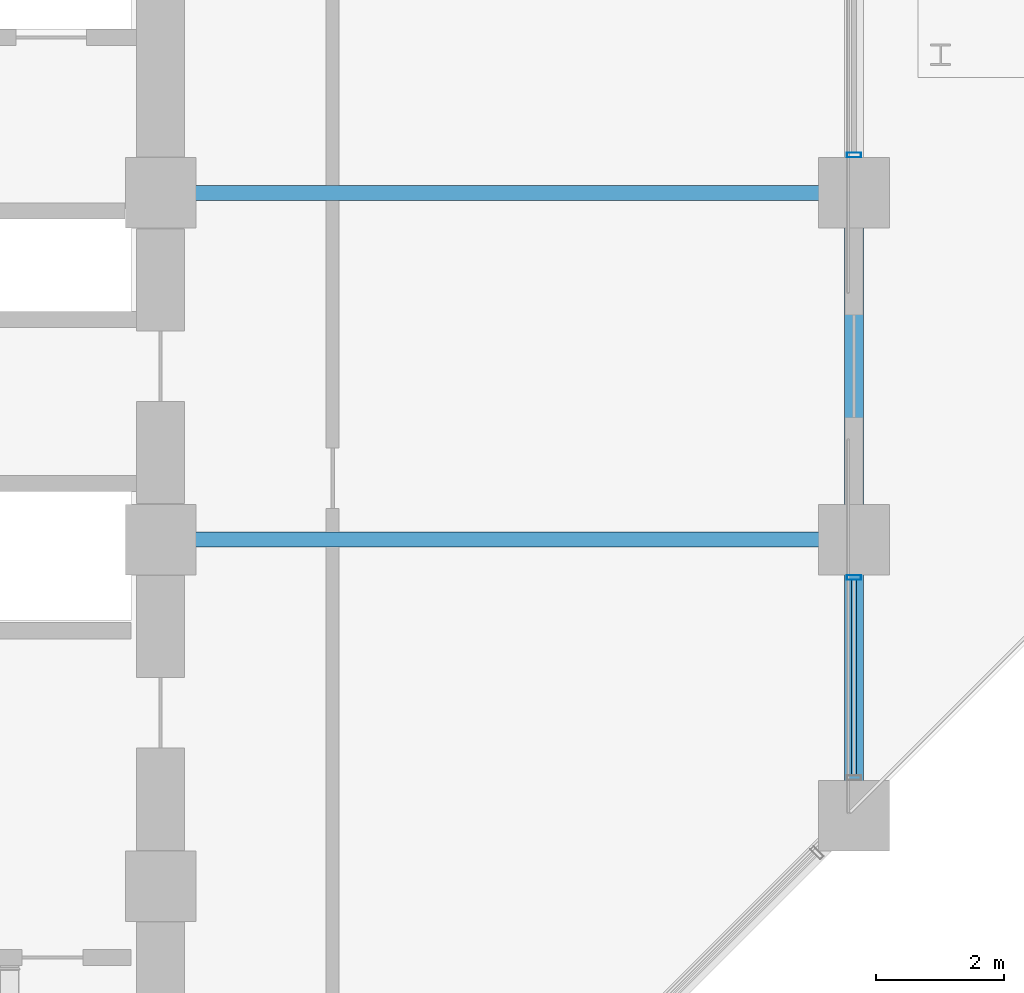
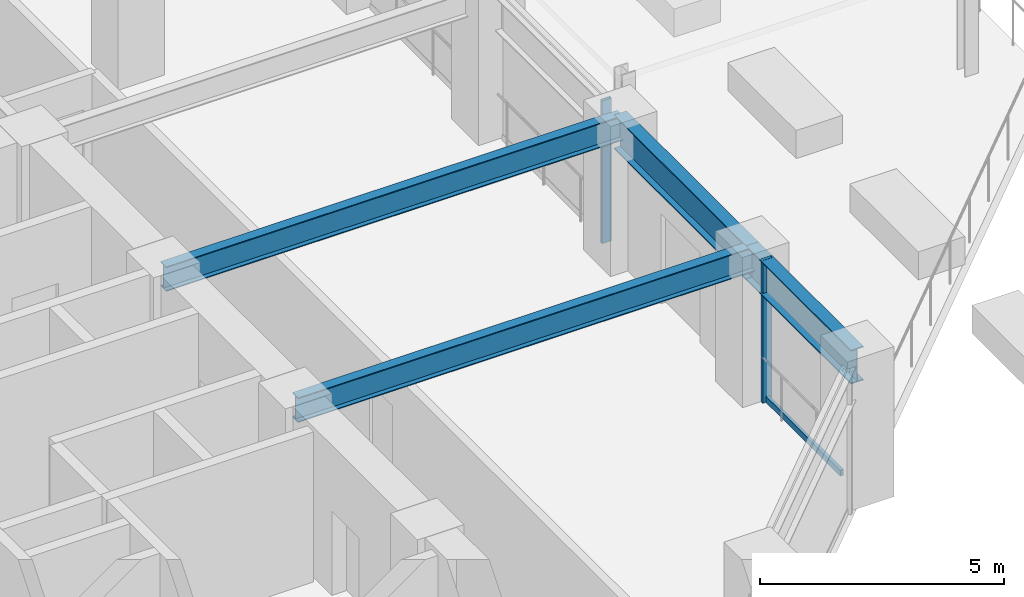
# One storey, part 10 of 30: 4 beams, 3 members, 2 elements without a shape of their own.
"""IFC4 building model written with IfcOpenShell, lengths in metres."""

from ifc_helpers import new_model, si_unit, direction, frame, origin, origin_2d, place, context, subcontext, project, spatial, hollow_rectangle, i_section, extrude, material, layer, layer_set, material_profile, profile_set, type_object, element, aggregate, save


model = new_model("IFC4")

# Units and contexts
model_context = context("Model", 3, precision=1e-05, world=origin(), true_north=direction((0.0, 1.0)))
body_context = subcontext(model_context, "Body", "Model", "MODEL_VIEW")
ifc_project = project(units=[si_unit("LENGTHUNIT", "METRE"), si_unit("AREAUNIT", "SQUARE_METRE"), si_unit("VOLUMEUNIT", "CUBIC_METRE"), si_unit("PLANEANGLEUNIT", "RADIAN"), si_unit("MASSUNIT", "GRAM", prefix="KILO")], contexts=[model_context])

# Site, building, storey
site_placement = place(None, origin())
site = spatial("IfcSite", under=ifc_project, at=site_placement, CompositionType="ELEMENT")
building_placement = place(site_placement, origin())
building = spatial("IfcBuilding", under=site, at=building_placement, Name="Surkhivell Harbour Commons", CompositionType="ELEMENT")
storey_placement = place(building_placement, frame((0.0, 0.0, 83.25)))
storey = spatial("IfcBuildingStorey", under=building, at=storey_placement, Name="L21", CompositionType="ELEMENT", Elevation=83.25)

# Beams
ifc_material_1 = material(Name="Steel S355", Category="steel")
ifc_material_profile_1 = material_profile(ifc_material_1, i_section(OverallWidth=0.22998046875, OverallDepth=0.616943359375, WebThickness=0.01318359375, FlangeThickness=0.022216796875, at=origin_2d()), Name="UB610x229x140")
ifc_profile_set_1 = profile_set([ifc_material_profile_1], Name="Steel S355")
beam_type_1 = type_object("IfcBeamType", Name="BM-GRD-610B", PredefinedType="BEAM", material=ifc_profile_set_1)
for number, where, z_axis, x_axis, name in (
    (1, (10.800048828125, 0.0, 3.261474609375), (1.0, 0.0, 0.0), (0.0, 1.0, 0.0), "L21 Floor Girder (10.8,0.0)"),
    (2, (10.800048828125, 5.39990234375, 3.261474609375), (1.0, 0.0, 0.0), (0.0, 1.0, 0.0), "L21 Floor Girder (10.8,5.4)"),
):
    element("IfcBeam", number, at=place(storey_placement, frame(where, z_axis=z_axis, x_axis=x_axis)), inside=storey, type_object=beam_type_1, Name=name, PredefinedType="BEAM", context=body_context, shape_type="SweptSolid", body=[
        extrude(i_section(OverallWidth=0.22998046875, OverallDepth=0.616943359375, WebThickness=0.01318359375, FlangeThickness=0.022216796875, at=origin_2d()), origin(), (0.0, 0.0, 1.0), 10.800048828125),
    ])
ifc_material_2 = material(Name="Steel S460", Category="steel")
ifc_material_profile_2 = material_profile(ifc_material_2, i_section(OverallWidth=0.2939453125, OverallDepth=0.85107421875, WebThickness=0.01611328125, FlangeThickness=0.02685546875, at=origin_2d()), Name="UB838x292x226")
ifc_profile_set_2 = profile_set([ifc_material_profile_2], Name="Steel S460")
beam_type_2 = type_object("IfcBeamType", Name="BM-SPN-838", PredefinedType="SPANDREL", material=ifc_profile_set_2)
beam_1_placement = place(storey_placement, frame((21.60009765625, -4.300048828125, 3.14453125), z_axis=(0.0, 1.0, 0.0), x_axis=(-1.0, 0.0, 0.0)))
element("IfcBeam", 3, at=beam_1_placement, inside=storey, type_object=beam_type_2, Name="L21 Tube Spandrel (21.6,-4.3)", PredefinedType="SPANDREL", context=body_context, shape_type="SweptSolid", body=[
    extrude(i_section(OverallWidth=0.2939453125, OverallDepth=0.85107421875, WebThickness=0.01611328125, FlangeThickness=0.02685546875, at=origin_2d()), origin(), (0.0, 0.0, 1.0), 4.300048828125),
])
beam_2_placement = place(storey_placement, frame((21.60009765625, 0.0, 3.14453125), z_axis=(0.0, 1.0, 0.0), x_axis=(-1.0, 0.0, 0.0)))
element("IfcBeam", 4, at=beam_2_placement, inside=storey, type_object=beam_type_2, Name="L21 Tube Spandrel (21.6,0.0)", PredefinedType="SPANDREL", context=body_context, shape_type="SweptSolid", body=[
    extrude(i_section(OverallWidth=0.2939453125, OverallDepth=0.85107421875, WebThickness=0.01611328125, FlangeThickness=0.02685546875, at=origin_2d()), origin(), (0.0, 0.0, 1.0), 5.39990234375),
])

# Curtain wall, member
ifc_material_3 = material(Name="Anodised pale-metal aluminium and insulated glazing", Category="aluminium")
ifc_layer = layer(ifc_material_3, 0.205078125)
ifc_layer_set = layer_set([ifc_layer], Name="Anodised pale-metal aluminium and insulated glazing")
curtain_wall_type = type_object("IfcCurtainWallType", Name="CW-SYS-Z2", PredefinedType="NOTDEFINED", material=ifc_layer_set)
curtain_wall_1_placement = place(storey_placement, origin())
curtain_wall_1 = element("IfcCurtainWall", 5, at=curtain_wall_1_placement, inside=storey, type_object=curtain_wall_type, Name="L21 Curtain Wall CW-L21-E02A", PredefinedType="NOTDEFINED")
ifc_material_4 = material(Name="Anodised pale-metal aluminium alloy 6063-T6", Category="aluminium")
ifc_material_profile_3 = material_profile(ifc_material_4, hollow_rectangle(XDim=0.074951171875, YDim=0.219970703125, WallThickness=0.00390625, at=origin_2d()), Name="ALU-MULL-75x220")
ifc_profile_set_3 = profile_set([ifc_material_profile_3], Name="Anodised pale-metal aluminium alloy 6063-T6")
member_type_1 = type_object("IfcMemberType", Name="CWM-220", PredefinedType="MULLION", material=ifc_profile_set_3)
member_1_placement = place(storey_placement, frame((21.60009765625, -0.589599609375, 0.0), z_axis=(0.0, 0.0, 1.0), x_axis=(0.0, 1.0, 0.0)))
member_1 = element("IfcMember", 6, at=member_1_placement, type_object=member_type_1, Name="CW-Z2 mullion 2", PredefinedType="MULLION", context=body_context, shape_type="SweptSolid", body=[
    extrude(hollow_rectangle(XDim=0.074951171875, YDim=0.219970703125, WallThickness=0.00390625, at=origin_2d()), origin(), (0.0, 0.0, 1.0), 3.570068359375),
])

curtain_wall_2_placement = place(storey_placement, origin())
curtain_wall_2 = element("IfcCurtainWall", 7, at=curtain_wall_2_placement, inside=storey, type_object=curtain_wall_type, Name="L21 Curtain Wall CW-L21-E02B", PredefinedType="NOTDEFINED")
member_2_placement = place(storey_placement, frame((21.60009765625, 5.989501953125, 0.0), z_axis=(0.0, 0.0, 1.0), x_axis=(0.0, 1.0, 0.0)))
member_2 = element("IfcMember", 8, at=member_2_placement, type_object=member_type_1, Name="CW-Z2 mullion 1", PredefinedType="MULLION", context=body_context, shape_type="SweptSolid", body=[
    extrude(hollow_rectangle(XDim=0.074951171875, YDim=0.219970703125, WallThickness=0.00390625, at=origin_2d()), origin(), (0.0, 0.0, 1.0), 3.570068359375),
])
aggregate(curtain_wall_2, [member_2])

# Member
ifc_material_profile_4 = material_profile(ifc_material_4, hollow_rectangle(XDim=0.074951171875, YDim=0.14990234375, WallThickness=0.00341796875, at=origin_2d()), Name="ALU-TRAN-75x150")
ifc_profile_set_4 = profile_set([ifc_material_profile_4], Name="Anodised pale-metal aluminium alloy 6063-T6")
member_type_2 = type_object("IfcMemberType", Name="CWT-150", PredefinedType="USERDEFINED", material=ifc_profile_set_4)
member_3_placement = place(storey_placement, frame((21.60009765625, -3.673095703125, 0.074951171875), z_axis=(0.0, 1.0, 0.0), x_axis=(-1.0, 0.0, 0.0)))
member_3 = element("IfcMember", 9, at=member_3_placement, type_object=member_type_2, Name="CW-Z2 transom 1.1", ObjectType="TRANSOM", PredefinedType="USERDEFINED", context=body_context, shape_type="SweptSolid", body=[
    extrude(hollow_rectangle(XDim=0.074951171875, YDim=0.14990234375, WallThickness=0.00341796875, at=origin_2d()), origin(), (0.0, 0.0, 1.0), 3.046142578125),
])

aggregate(curtain_wall_1, [member_1, member_3])

save(model, "model.ifc")
